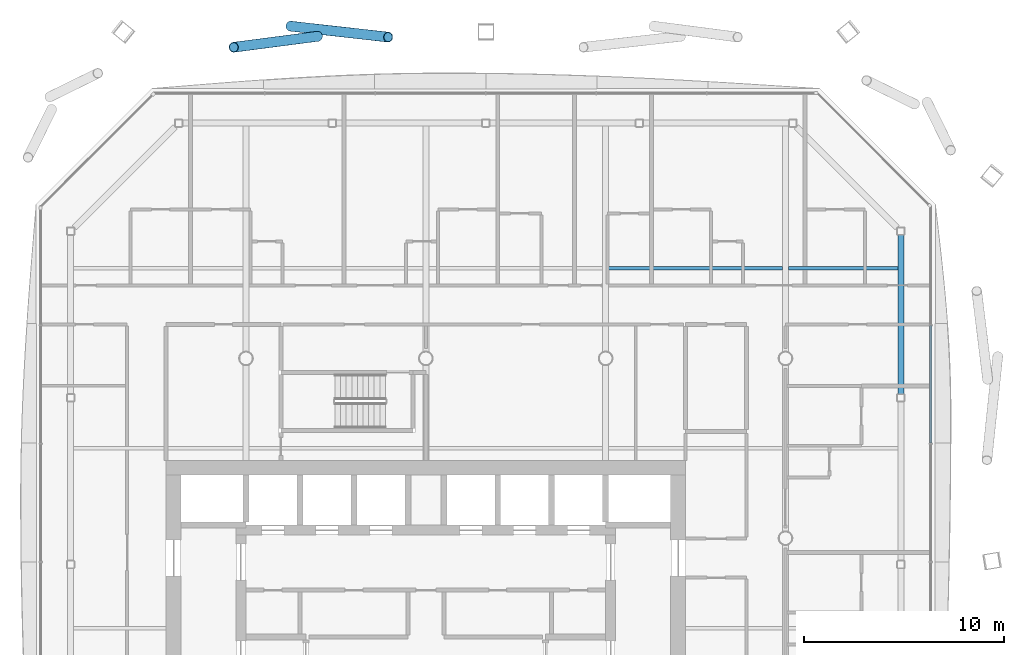
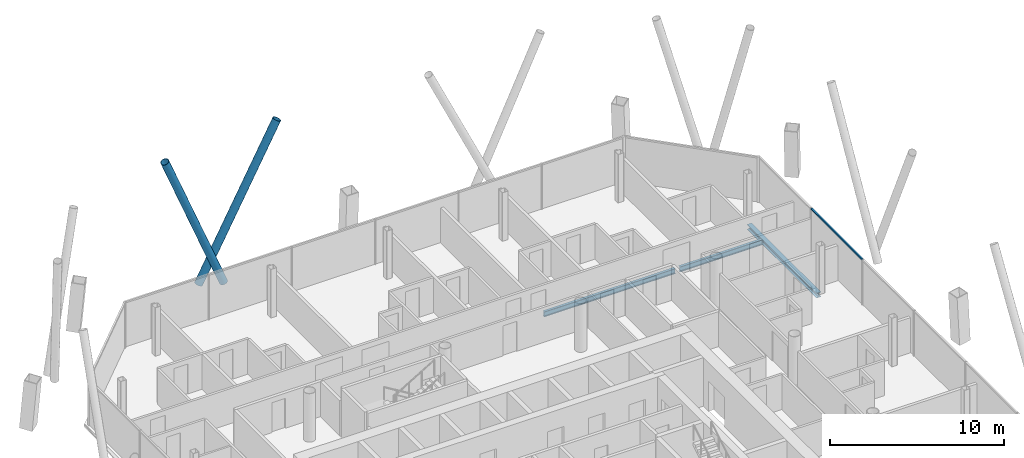
# One storey, part 11 of 23: 3 beams, 3 members, 1 element without a shape of its own.
"""IFC4 building model written with IfcOpenShell, lengths in metres."""

from ifc_helpers import new_model, si_unit, direction, frame, origin, origin_2d, place, context, subcontext, project, spatial, rectangle, hollow_circle, i_section, extrude, material, material_profile, profile_set, type_object, element, aggregate, save


model = new_model("IFC4")

# Units and contexts
model_context = context("Model", 3, precision=1e-05, world=origin(), true_north=direction((0.0, 1.0)))
body_context = subcontext(model_context, "Body", "Model", "MODEL_VIEW")
ifc_project = project(units=[si_unit("LENGTHUNIT", "METRE"), si_unit("AREAUNIT", "SQUARE_METRE"), si_unit("VOLUMEUNIT", "CUBIC_METRE"), si_unit("PLANEANGLEUNIT", "RADIAN"), si_unit("MASSUNIT", "GRAM", prefix="KILO")], contexts=[model_context])

# Site, building, storey
site_placement = place(None, origin())
site = spatial("IfcSite", under=ifc_project, at=site_placement, CompositionType="ELEMENT")
building_placement = place(site_placement, origin())
building = spatial("IfcBuilding", under=site, at=building_placement, Name="Tskaro Facet Tower", CompositionType="ELEMENT")
storey_placement = place(building_placement, frame((0.0, 0.0, 141.89990234375)))
storey = spatial("IfcBuildingStorey", under=building, at=storey_placement, Name="L34", CompositionType="ELEMENT", Elevation=141.89990234375)

# Members
ifc_material_1 = material(Name="Steel S355J2H", Category="steel")
ifc_material_profile_1 = material_profile(ifc_material_1, hollow_circle(Radius=0.25390625, WallThickness=0.02490234375, at=origin_2d()), Name="CHS 508x25")
ifc_profile_set_1 = profile_set([ifc_material_profile_1], Name="Steel S355J2H")
member_type_1 = type_object("IfcMemberType", Name="CHS 508x25 brace", PredefinedType="BRACE", material=ifc_profile_set_1)
member_1_placement = place(storey_placement, frame((-5.409423828125, 25.117431640625, 0.0), z_axis=(-0.38064958278, -0.049573071717, 0.92338962832), x_axis=(0.129142268384, -0.991626075956, 0.0)))
element("IfcMember", 1, at=member_1_placement, inside=storey, type_object=member_type_1, Name="CHS 508x25 XB08A/3", PredefinedType="BRACE", context=body_context, shape_type="SweptSolid", body=[
    extrude(hollow_circle(Radius=0.25390625, WallThickness=0.02490234375, at=origin_2d()), origin(), (0.0, 0.0, 1.0), 11.04638671875),
])
member_2_placement = place(storey_placement, frame((-6.76904296875, 25.62548828125, 0.0), z_axis=(0.431393382861, -0.048385402666, 0.900865473882), x_axis=(0.111461838164, 0.993768714859, 0.0)))
element("IfcMember", 2, at=member_2_placement, inside=storey, type_object=member_type_1, Name="CHS 508x25 XB08B/3", PredefinedType="BRACE", context=body_context, shape_type="SweptSolid", body=[
    extrude(hollow_circle(Radius=0.25390625, WallThickness=0.02490234375, at=origin_2d()), origin(), (0.0, 0.0, 1.0), 11.32275390625),
])

# Curtain wall, member
ifc_material_2 = material(Name="Bronze anodised aluminium 6063-T6", Category="aluminium")
curtain_wall_type = type_object("IfcCurtainWallType", Name="Bronze hotel curtain wall (FW2)", PredefinedType="NOTDEFINED", material=ifc_material_2)
curtain_wall_placement = place(storey_placement, origin())
curtain_wall = element("IfcCurtainWall", 3, at=curtain_wall_placement, inside=storey, type_object=curtain_wall_type, Name="FW2 east facet L34", PredefinedType="NOTDEFINED")
ifc_material_profile_2 = material_profile(ifc_material_2, rectangle(XDim=0.110107421875, YDim=0.10009765625, at=origin_2d()), Name="Transom 110x100")
ifc_profile_set_2 = profile_set([ifc_material_profile_2], Name="Bronze anodised aluminium 6063-T6")
member_type_2 = type_object("IfcMemberType", Name="FW2 bronze transom 110x100", PredefinedType="USERDEFINED", material=ifc_profile_set_2)
member_3_placement = place(storey_placement, frame((25.27197265625, 4.763671875, 3.150146484375), z_axis=(0.0, 1.0, 0.0), x_axis=(-1.0, 0.0, 0.0)))
member_3 = element("IfcMember", 4, at=member_3_placement, type_object=member_type_2, Name="FW2 east transom 5.1", ObjectType="TRANSOM", PredefinedType="USERDEFINED", context=body_context, shape_type="SweptSolid", body=[
    extrude(rectangle(XDim=0.110107421875, YDim=0.10009765625, at=origin_2d()), origin(), (0.0, 0.0, 1.0), 5.869140625),
])
aggregate(curtain_wall, [member_3])

# Beams
ifc_material_3 = material(Name="Steel S355J2", Category="steel")
ifc_material_profile_3 = material_profile(ifc_material_3, i_section(OverallWidth=0.300048828125, OverallDepth=0.340087890625, WebThickness=0.011962890625, FlangeThickness=0.021484375, FilletRadius=0.027099609375, at=origin_2d()), Name="HE 340 B")
ifc_profile_set_3 = profile_set([ifc_material_profile_3], Name="Steel S355J2")
beam_type_1 = type_object("IfcBeamType", Name="HE 340 B ring beam", PredefinedType="BEAM", material=ifc_profile_set_3)
beam_1_placement = place(storey_placement, frame((23.77392578125, 7.2060546875, -0.309814453125), z_axis=(0.0, 1.0, 0.0), x_axis=(-1.0, 0.0, 0.0)))
element("IfcBeam", 5, at=beam_1_placement, inside=storey, type_object=beam_type_1, Name="HE 340 B EB9-3", PredefinedType="BEAM", context=body_context, shape_type="SweptSolid", body=[
    extrude(i_section(OverallWidth=0.300048828125, OverallDepth=0.340087890625, WebThickness=0.011962890625, FlangeThickness=0.021484375, FilletRadius=0.027099609375, at=origin_2d()), origin(), (0.0, 0.0, 1.0), 7.98193359375),
])
ifc_material_profile_4 = material_profile(ifc_material_3, i_section(OverallWidth=0.169921875, OverallDepth=0.360107421875, WebThickness=0.008056640625, FlangeThickness=0.0126953125, FilletRadius=0.01806640625, at=origin_2d()), Name="IPE 360")
ifc_profile_set_4 = profile_set([ifc_material_profile_4], Name="Steel S355J2")
beam_type_2 = type_object("IfcBeamType", Name="IPE 360 secondary beam", PredefinedType="BEAM", material=ifc_profile_set_4)
beam_2_placement = place(storey_placement, frame((9.14990234375, 13.5, -0.31982421875), z_axis=(1.0, 0.0, 0.0), x_axis=(0.0, 1.0, 0.0)))
element("IfcBeam", 6, at=beam_2_placement, inside=storey, type_object=beam_type_2, Name="IPE 360 SB5a-4-3", PredefinedType="BEAM", context=body_context, shape_type="SweptSolid", body=[
    extrude(i_section(OverallWidth=0.169921875, OverallDepth=0.360107421875, WebThickness=0.008056640625, FlangeThickness=0.0126953125, FilletRadius=0.01806640625, at=origin_2d()), origin(), (0.0, 0.0, 1.0), 8.7001953125),
])
beam_3_placement = place(storey_placement, frame((18.14990234375, 13.5, -0.31982421875), z_axis=(1.0, 0.0, 0.0), x_axis=(0.0, 1.0, 0.0)))
element("IfcBeam", 7, at=beam_3_placement, inside=storey, type_object=beam_type_2, Name="IPE 360 SB5a-5-3", PredefinedType="BEAM", context=body_context, shape_type="SweptSolid", body=[
    extrude(i_section(OverallWidth=0.169921875, OverallDepth=0.360107421875, WebThickness=0.008056640625, FlangeThickness=0.0126953125, FilletRadius=0.01806640625, at=origin_2d()), origin(), (0.0, 0.0, 1.0), 5.47412109375),
])

save(model, "model.ifc")
